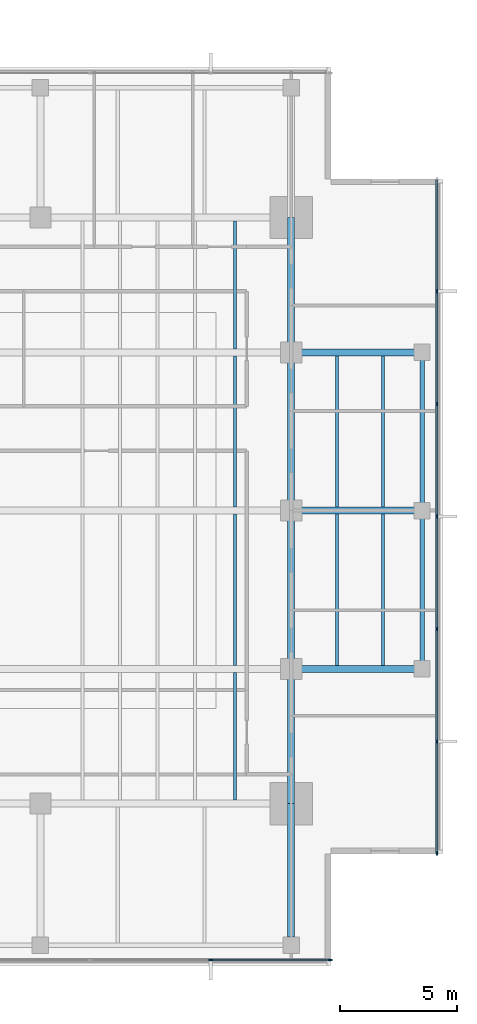
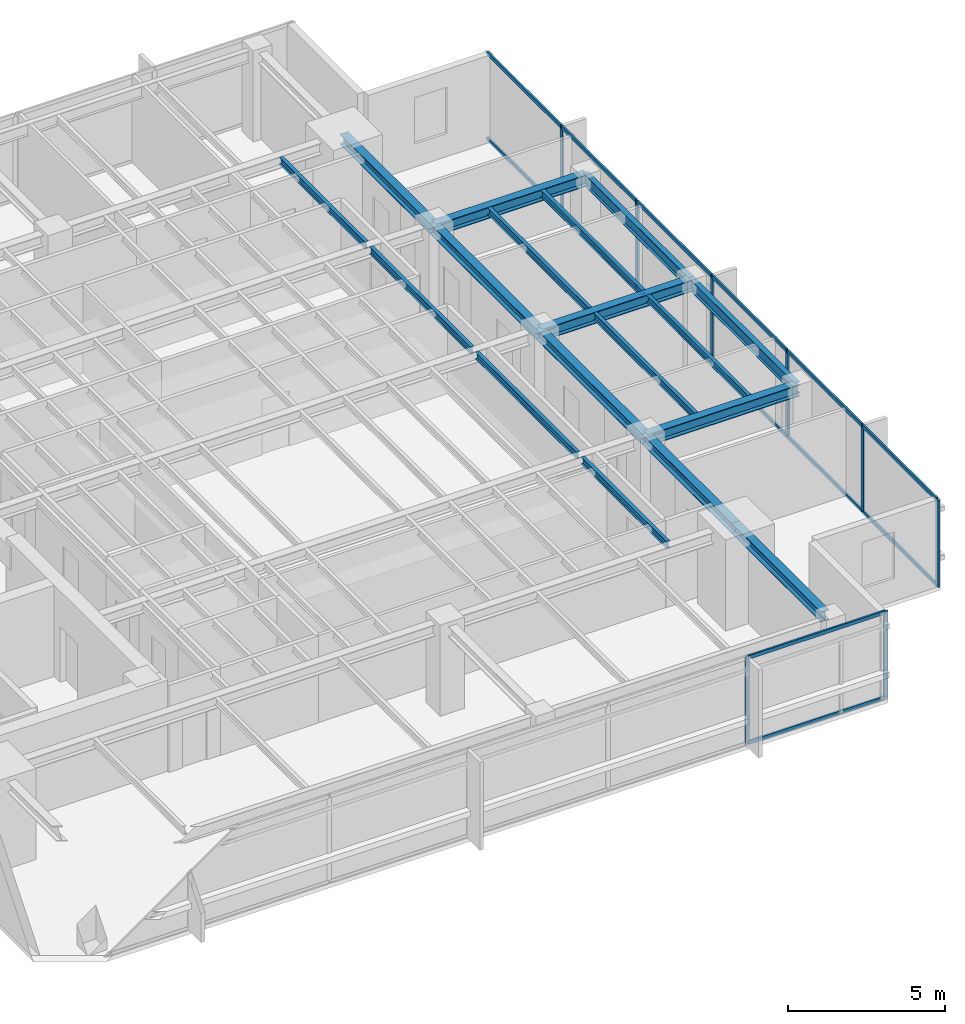
# One storey, part 4 of 13: 22 members, 18 beams, 2 elements without a shape of their own.
"""IFC4 building model written with IfcOpenShell, lengths in metres."""

from ifc_helpers import new_model, si_unit, direction, frame, origin, origin_2d, place, context, subcontext, project, spatial, rectangle, i_section, extrude, material, layer, layer_set, material_profile, profile_set, type_object, element, aggregate, save


model = new_model("IFC4")

# Units and contexts
model_context = context("Model", 3, precision=1e-05, world=origin(), true_north=direction((0.0, 1.0)))
body_context = subcontext(model_context, "Body", "Model", "MODEL_VIEW")
ifc_project = project(units=[si_unit("LENGTHUNIT", "METRE"), si_unit("AREAUNIT", "SQUARE_METRE"), si_unit("VOLUMEUNIT", "CUBIC_METRE"), si_unit("PLANEANGLEUNIT", "RADIAN"), si_unit("MASSUNIT", "GRAM", prefix="KILO")], contexts=[model_context])

# Site, building, storey
site_placement = place(None, origin())
site = spatial("IfcSite", under=ifc_project, at=site_placement, CompositionType="ELEMENT")
building_placement = place(site_placement, origin())
building = spatial("IfcBuilding", under=site, at=building_placement, Name="Kinhvarn Gate Tower", CompositionType="ELEMENT")
storey_placement = place(building_placement, frame((0.0, 0.0, 288.300048828125)))
storey = spatial("IfcBuildingStorey", under=building, at=storey_placement, Name="L77", CompositionType="ELEMENT", Elevation=288.300048828125)

# Curtain wall, members
ifc_material_1 = material(Name="Anodised aluminium AW-6063", Category="aluminium")
ifc_layer = layer(ifc_material_1, 0.179931640625)
ifc_layer_set = layer_set([ifc_layer], Name="Anodised aluminium AW-6063")
curtain_wall_type = type_object("IfcCurtainWallType", Name="CW-SYS-3", PredefinedType="NOTDEFINED", material=ifc_layer_set)
curtain_wall_1_placement = place(storey_placement, origin())
curtain_wall_1 = element("IfcCurtainWall", 1, at=curtain_wall_1_placement, inside=storey, type_object=curtain_wall_type, Name="Curtain Wall CW3 (L77)", PredefinedType="NOTDEFINED")
ifc_material_profile_1 = material_profile(ifc_material_1, rectangle(XDim=0.06494140625, YDim=0.159912109375, at=origin_2d()), Name="ALU 65x160")
ifc_profile_set_1 = profile_set([ifc_material_profile_1], Name="Anodised aluminium AW-6063")
member_type_1 = type_object("IfcMemberType", Name="CW-MUL-160", PredefinedType="MULLION", material=ifc_profile_set_1)
member_1_placement = place(storey_placement, frame((34.7666015625, 6.090087890625, 0.0), z_axis=(0.0, 0.0, 1.0), x_axis=(0.0, 1.0, 0.0)))
member_1 = element("IfcMember", 2, at=member_1_placement, type_object=member_type_1, Name="CW3 mullion 6", PredefinedType="MULLION", context=body_context, shape_type="SweptSolid", body=[
    extrude(rectangle(XDim=0.06494140625, YDim=0.159912109375, at=origin_2d()), origin(), (0.0, 0.0, 1.0), 3.389892578125),
])
member_2_placement = place(storey_placement, frame((39.867431640625, 6.090087890625, 0.0), z_axis=(0.0, 0.0, 1.0), x_axis=(0.0, 1.0, 0.0)))
member_2 = element("IfcMember", 3, at=member_2_placement, type_object=member_type_1, Name="CW3 mullion 7", PredefinedType="MULLION", context=body_context, shape_type="SweptSolid", body=[
    extrude(rectangle(XDim=0.06494140625, YDim=0.159912109375, at=origin_2d()), origin(), (0.0, 0.0, 1.0), 3.389892578125),
])

curtain_wall_2_placement = place(storey_placement, origin())
curtain_wall_2 = element("IfcCurtainWall", 4, at=curtain_wall_2_placement, inside=storey, type_object=curtain_wall_type, Name="Curtain Wall CW3 (L77)", PredefinedType="NOTDEFINED")
member_3_placement = place(storey_placement, frame((44.409912109375, 10.632568359375, 0.0), z_axis=(0.0, 0.0, 1.0), x_axis=(-1.0, 0.0, 0.0)))
member_3 = element("IfcMember", 5, at=member_3_placement, type_object=member_type_1, Name="CW3 mullion 1", PredefinedType="MULLION", context=body_context, shape_type="SweptSolid", body=[
    extrude(rectangle(XDim=0.06494140625, YDim=0.159912109375, at=origin_2d()), origin(), (0.0, 0.0, 1.0), 3.389892578125),
])
member_4_placement = place(storey_placement, frame((44.409912109375, 15.39990234375, 0.0), z_axis=(0.0, 0.0, 1.0), x_axis=(-1.0, 0.0, 0.0)))
member_4 = element("IfcMember", 6, at=member_4_placement, type_object=member_type_1, Name="CW3 mullion 2", PredefinedType="MULLION", context=body_context, shape_type="SweptSolid", body=[
    extrude(rectangle(XDim=0.06494140625, YDim=0.159912109375, at=origin_2d()), origin(), (0.0, 0.0, 1.0), 3.389892578125),
])
member_5_placement = place(storey_placement, frame((44.409912109375, 20.199951171875, 0.0), z_axis=(0.0, 0.0, 1.0), x_axis=(-1.0, 0.0, 0.0)))
member_5 = element("IfcMember", 7, at=member_5_placement, type_object=member_type_1, Name="CW3 mullion 3", PredefinedType="MULLION", context=body_context, shape_type="SweptSolid", body=[
    extrude(rectangle(XDim=0.06494140625, YDim=0.159912109375, at=origin_2d()), origin(), (0.0, 0.0, 1.0), 3.389892578125),
])
member_6_placement = place(storey_placement, frame((44.409912109375, 25.0, 0.0), z_axis=(0.0, 0.0, 1.0), x_axis=(-1.0, 0.0, 0.0)))
member_6 = element("IfcMember", 8, at=member_6_placement, type_object=member_type_1, Name="CW3 mullion 4", PredefinedType="MULLION", context=body_context, shape_type="SweptSolid", body=[
    extrude(rectangle(XDim=0.06494140625, YDim=0.159912109375, at=origin_2d()), origin(), (0.0, 0.0, 1.0), 3.389892578125),
])
member_7_placement = place(storey_placement, frame((44.409912109375, 29.800048828125, 0.0), z_axis=(0.0, 0.0, 1.0), x_axis=(-1.0, 0.0, 0.0)))
member_7 = element("IfcMember", 9, at=member_7_placement, type_object=member_type_1, Name="CW3 mullion 5", PredefinedType="MULLION", context=body_context, shape_type="SweptSolid", body=[
    extrude(rectangle(XDim=0.06494140625, YDim=0.159912109375, at=origin_2d()), origin(), (0.0, 0.0, 1.0), 3.389892578125),
])
member_8_placement = place(storey_placement, frame((44.409912109375, 34.60009765625, 0.0), z_axis=(0.0, 0.0, 1.0), x_axis=(-1.0, 0.0, 0.0)))
member_8 = element("IfcMember", 10, at=member_8_placement, type_object=member_type_1, Name="CW3 mullion 6", PredefinedType="MULLION", context=body_context, shape_type="SweptSolid", body=[
    extrude(rectangle(XDim=0.06494140625, YDim=0.159912109375, at=origin_2d()), origin(), (0.0, 0.0, 1.0), 3.389892578125),
])

# Member
ifc_material_profile_2 = material_profile(ifc_material_1, rectangle(XDim=0.070068359375, YDim=0.139892578125, at=origin_2d()), Name="ALU 70x140")
ifc_profile_set_2 = profile_set([ifc_material_profile_2], Name="Anodised aluminium AW-6063")
member_type_2 = type_object("IfcMemberType", Name="CW-TRN-140", PredefinedType="USERDEFINED", material=ifc_profile_set_2)
member_9_placement = place(storey_placement, frame((34.799072265625, 6.090087890625, 0.034912109375), z_axis=(1.0, 0.0, 0.0), x_axis=(0.0, 1.0, 0.0)))
member_9 = element("IfcMember", 11, at=member_9_placement, type_object=member_type_2, Name="CW3 transom 6.1", ObjectType="TRANSOM", PredefinedType="USERDEFINED", context=body_context, shape_type="SweptSolid", body=[
    extrude(rectangle(XDim=0.070068359375, YDim=0.139892578125, at=origin_2d()), origin(), (0.0, 0.0, 1.0), 5.035888671875),
])

member_10_placement = place(storey_placement, frame((34.799072265625, 6.090087890625, 3.35498046875), z_axis=(1.0, 0.0, 0.0), x_axis=(0.0, 1.0, 0.0)))
member_10 = element("IfcMember", 12, at=member_10_placement, type_object=member_type_2, Name="CW3 transom 6.2", ObjectType="TRANSOM", PredefinedType="USERDEFINED", context=body_context, shape_type="SweptSolid", body=[
    extrude(rectangle(XDim=0.070068359375, YDim=0.139892578125, at=origin_2d()), origin(), (0.0, 0.0, 1.0), 5.035888671875),
])

aggregate(curtain_wall_1, [member_1, member_2, member_9, member_10])

member_11_placement = place(storey_placement, frame((44.409912109375, 10.6650390625, 0.034912109375), z_axis=(0.0, 1.0, 0.0), x_axis=(-1.0, 0.0, 0.0)))
member_11 = element("IfcMember", 13, at=member_11_placement, type_object=member_type_2, Name="CW3 transom 1.1", ObjectType="TRANSOM", PredefinedType="USERDEFINED", context=body_context, shape_type="SweptSolid", body=[
    extrude(rectangle(XDim=0.070068359375, YDim=0.139892578125, at=origin_2d()), origin(), (0.0, 0.0, 1.0), 4.702392578125),
])

member_12_placement = place(storey_placement, frame((44.409912109375, 10.6650390625, 3.35498046875), z_axis=(0.0, 1.0, 0.0), x_axis=(-1.0, 0.0, 0.0)))
member_12 = element("IfcMember", 14, at=member_12_placement, type_object=member_type_2, Name="CW3 transom 1.2", ObjectType="TRANSOM", PredefinedType="USERDEFINED", context=body_context, shape_type="SweptSolid", body=[
    extrude(rectangle(XDim=0.070068359375, YDim=0.139892578125, at=origin_2d()), origin(), (0.0, 0.0, 1.0), 4.702392578125),
])

member_13_placement = place(storey_placement, frame((44.409912109375, 15.4326171875, 0.034912109375), z_axis=(0.0, 1.0, 0.0), x_axis=(-1.0, 0.0, 0.0)))
member_13 = element("IfcMember", 15, at=member_13_placement, type_object=member_type_2, Name="CW3 transom 2.1", ObjectType="TRANSOM", PredefinedType="USERDEFINED", context=body_context, shape_type="SweptSolid", body=[
    extrude(rectangle(XDim=0.070068359375, YDim=0.139892578125, at=origin_2d()), origin(), (0.0, 0.0, 1.0), 4.73486328125),
])

member_14_placement = place(storey_placement, frame((44.409912109375, 15.4326171875, 3.35498046875), z_axis=(0.0, 1.0, 0.0), x_axis=(-1.0, 0.0, 0.0)))
member_14 = element("IfcMember", 16, at=member_14_placement, type_object=member_type_2, Name="CW3 transom 2.2", ObjectType="TRANSOM", PredefinedType="USERDEFINED", context=body_context, shape_type="SweptSolid", body=[
    extrude(rectangle(XDim=0.070068359375, YDim=0.139892578125, at=origin_2d()), origin(), (0.0, 0.0, 1.0), 4.73486328125),
])

member_15_placement = place(storey_placement, frame((44.409912109375, 20.232421875, 0.034912109375), z_axis=(0.0, 1.0, 0.0), x_axis=(-1.0, 0.0, 0.0)))
member_15 = element("IfcMember", 17, at=member_15_placement, type_object=member_type_2, Name="CW3 transom 3.1", ObjectType="TRANSOM", PredefinedType="USERDEFINED", context=body_context, shape_type="SweptSolid", body=[
    extrude(rectangle(XDim=0.070068359375, YDim=0.139892578125, at=origin_2d()), origin(), (0.0, 0.0, 1.0), 4.735107421875),
])

member_16_placement = place(storey_placement, frame((44.409912109375, 20.232421875, 3.35498046875), z_axis=(0.0, 1.0, 0.0), x_axis=(-1.0, 0.0, 0.0)))
member_16 = element("IfcMember", 18, at=member_16_placement, type_object=member_type_2, Name="CW3 transom 3.2", ObjectType="TRANSOM", PredefinedType="USERDEFINED", context=body_context, shape_type="SweptSolid", body=[
    extrude(rectangle(XDim=0.070068359375, YDim=0.139892578125, at=origin_2d()), origin(), (0.0, 0.0, 1.0), 4.735107421875),
])

member_17_placement = place(storey_placement, frame((44.409912109375, 25.032470703125, 0.034912109375), z_axis=(0.0, 1.0, 0.0), x_axis=(-1.0, 0.0, 0.0)))
member_17 = element("IfcMember", 19, at=member_17_placement, type_object=member_type_2, Name="CW3 transom 4.1", ObjectType="TRANSOM", PredefinedType="USERDEFINED", context=body_context, shape_type="SweptSolid", body=[
    extrude(rectangle(XDim=0.070068359375, YDim=0.139892578125, at=origin_2d()), origin(), (0.0, 0.0, 1.0), 4.735107421875),
])

member_18_placement = place(storey_placement, frame((44.409912109375, 25.032470703125, 3.35498046875), z_axis=(0.0, 1.0, 0.0), x_axis=(-1.0, 0.0, 0.0)))
member_18 = element("IfcMember", 20, at=member_18_placement, type_object=member_type_2, Name="CW3 transom 4.2", ObjectType="TRANSOM", PredefinedType="USERDEFINED", context=body_context, shape_type="SweptSolid", body=[
    extrude(rectangle(XDim=0.070068359375, YDim=0.139892578125, at=origin_2d()), origin(), (0.0, 0.0, 1.0), 4.735107421875),
])

member_19_placement = place(storey_placement, frame((44.409912109375, 29.83251953125, 0.034912109375), z_axis=(0.0, 1.0, 0.0), x_axis=(-1.0, 0.0, 0.0)))
member_19 = element("IfcMember", 21, at=member_19_placement, type_object=member_type_2, Name="CW3 transom 5.1", ObjectType="TRANSOM", PredefinedType="USERDEFINED", context=body_context, shape_type="SweptSolid", body=[
    extrude(rectangle(XDim=0.070068359375, YDim=0.139892578125, at=origin_2d()), origin(), (0.0, 0.0, 1.0), 4.73486328125),
])

member_20_placement = place(storey_placement, frame((44.409912109375, 29.83251953125, 3.35498046875), z_axis=(0.0, 1.0, 0.0), x_axis=(-1.0, 0.0, 0.0)))
member_20 = element("IfcMember", 22, at=member_20_placement, type_object=member_type_2, Name="CW3 transom 5.2", ObjectType="TRANSOM", PredefinedType="USERDEFINED", context=body_context, shape_type="SweptSolid", body=[
    extrude(rectangle(XDim=0.070068359375, YDim=0.139892578125, at=origin_2d()), origin(), (0.0, 0.0, 1.0), 4.73486328125),
])

member_21_placement = place(storey_placement, frame((44.409912109375, 34.632568359375, 0.034912109375), z_axis=(0.0, 1.0, 0.0), x_axis=(-1.0, 0.0, 0.0)))
member_21 = element("IfcMember", 23, at=member_21_placement, type_object=member_type_2, Name="CW3 transom 6.1", ObjectType="TRANSOM", PredefinedType="USERDEFINED", context=body_context, shape_type="SweptSolid", body=[
    extrude(rectangle(XDim=0.070068359375, YDim=0.139892578125, at=origin_2d()), origin(), (0.0, 0.0, 1.0), 4.702392578125),
])

member_22_placement = place(storey_placement, frame((44.409912109375, 34.632568359375, 3.35498046875), z_axis=(0.0, 1.0, 0.0), x_axis=(-1.0, 0.0, 0.0)))
member_22 = element("IfcMember", 24, at=member_22_placement, type_object=member_type_2, Name="CW3 transom 6.2", ObjectType="TRANSOM", PredefinedType="USERDEFINED", context=body_context, shape_type="SweptSolid", body=[
    extrude(rectangle(XDim=0.070068359375, YDim=0.139892578125, at=origin_2d()), origin(), (0.0, 0.0, 1.0), 4.702392578125),
])

aggregate(curtain_wall_2, [member_3, member_4, member_5, member_6, member_7, member_8, member_11, member_12, member_13, member_14, member_15, member_16, member_17, member_18, member_19, member_20, member_21, member_22])

# Beams
ifc_material_2 = material(Name="Steel S355", Category="steel")
ifc_material_profile_3 = material_profile(ifc_material_2, i_section(OverallWidth=0.300048828125, OverallDepth=0.39990234375, WebThickness=0.013427734375, FlangeThickness=0.02392578125, at=origin_2d()), Name="HEB 400")
ifc_profile_set_3 = profile_set([ifc_material_profile_3], Name="Steel S355")
beam_type_1 = type_object("IfcBeamType", Name="STL-HEB400", PredefinedType="BEAM", material=ifc_profile_set_3)
beam_1_placement = place(storey_placement, frame((38.199951171875, 7.054931640625, 3.18994140625), z_axis=(0.0, 1.0, 0.0), x_axis=(-1.0, 0.0, 0.0)))
element("IfcBeam", 25, at=beam_1_placement, inside=storey, type_object=beam_type_1, Name="Floor Beam PG-12 (L77 MCE-S)", PredefinedType="BEAM", context=body_context, shape_type="SweptSolid", body=[
    extrude(i_section(OverallWidth=0.300048828125, OverallDepth=0.39990234375, WebThickness=0.013427734375, FlangeThickness=0.02392578125, at=origin_2d()), origin(), (0.0, 0.0, 1.0), 5.695068359375),
])
beam_2_placement = place(storey_placement, frame((38.199951171875, 12.75, 3.18994140625), z_axis=(0.0, 1.0, 0.0), x_axis=(-1.0, 0.0, 0.0)))
element("IfcBeam", 26, at=beam_2_placement, inside=storey, type_object=beam_type_1, Name="Floor Beam PG-12 (L77 MG-E-12)", PredefinedType="BEAM", context=body_context, shape_type="SweptSolid", body=[
    extrude(i_section(OverallWidth=0.300048828125, OverallDepth=0.39990234375, WebThickness=0.013427734375, FlangeThickness=0.02392578125, at=origin_2d()), origin(), (0.0, 0.0, 1.0), 5.75),
])
for number, where, z_axis, x_axis, name in (
    (27, (38.199951171875, 18.5, 3.18994140625), (0.0, 1.0, 0.0), (-1.0, 0.0, 0.0), "Floor Beam PG-12 (L77 MG-E-18)"),
    (28, (38.199951171875, 25.25, 3.18994140625), (0.0, 1.0, 0.0), (-1.0, 0.0, 0.0), "Floor Beam PG-12 (L77 MG-E-25)"),
):
    element("IfcBeam", number, at=place(storey_placement, frame(where, z_axis=z_axis, x_axis=x_axis)), inside=storey, type_object=beam_type_1, Name=name, PredefinedType="BEAM", context=body_context, shape_type="SweptSolid", body=[
        extrude(i_section(OverallWidth=0.300048828125, OverallDepth=0.39990234375, WebThickness=0.013427734375, FlangeThickness=0.02392578125, at=origin_2d()), origin(), (0.0, 0.0, 1.0), 6.75),
    ])
beam_3_placement = place(storey_placement, frame((38.199951171875, 32.0, 3.18994140625), z_axis=(0.0, 1.0, 0.0), x_axis=(-1.0, 0.0, 0.0)))
element("IfcBeam", 29, at=beam_3_placement, inside=storey, type_object=beam_type_1, Name="Floor Beam PG-12 (L77 MG-E-32)", PredefinedType="BEAM", context=body_context, shape_type="SweptSolid", body=[
    extrude(i_section(OverallWidth=0.300048828125, OverallDepth=0.39990234375, WebThickness=0.013427734375, FlangeThickness=0.02392578125, at=origin_2d()), origin(), (0.0, 0.0, 1.0), 5.75),
])
ifc_material_profile_4 = material_profile(ifc_material_2, i_section(OverallWidth=0.300048828125, OverallDepth=0.449951171875, WebThickness=0.013916015625, FlangeThickness=0.02587890625, at=origin_2d()), Name="HEB 450")
ifc_profile_set_4 = profile_set([ifc_material_profile_4], Name="Steel S355")
beam_type_2 = type_object("IfcBeamType", Name="STL-HEB450", PredefinedType="BEAM", material=ifc_profile_set_4)
for number, where, z_axis, x_axis, name in (
    (30, (38.199951171875, 18.5, 3.1650390625), (1.0, 0.0, 0.0), (0.0, 1.0, 0.0), "Floor Beam PG-13 (L77 EW2-Y18)"),
    (31, (38.199951171875, 25.25, 3.1650390625), (1.0, 0.0, 0.0), (0.0, 1.0, 0.0), "Floor Beam PG-13 (L77 EW2-Y25)"),
    (32, (38.199951171875, 32.0, 3.1650390625), (1.0, 0.0, 0.0), (0.0, 1.0, 0.0), "Floor Beam PG-13 (L77 EW2-Y32)"),
):
    element("IfcBeam", number, at=place(storey_placement, frame(where, z_axis=z_axis, x_axis=x_axis)), inside=storey, type_object=beam_type_2, Name=name, PredefinedType="BEAM", context=body_context, shape_type="SweptSolid", body=[
        extrude(i_section(OverallWidth=0.300048828125, OverallDepth=0.449951171875, WebThickness=0.013916015625, FlangeThickness=0.02587890625, at=origin_2d()), origin(), (0.0, 0.0, 1.0), 5.580078125),
    ])
ifc_material_profile_5 = material_profile(ifc_material_2, i_section(OverallWidth=0.135009765625, OverallDepth=0.27001953125, WebThickness=0.006591796875, FlangeThickness=0.01025390625, at=origin_2d()), Name="IPE 270")
ifc_profile_set_5 = profile_set([ifc_material_profile_5], Name="Steel S355")
beam_type_3 = type_object("IfcBeamType", Name="STL-IPE270", PredefinedType="JOIST", material=ifc_profile_set_5)
beam_4_placement = place(storey_placement, frame((35.800048828125, 12.89990234375, 3.2548828125), z_axis=(0.0, 1.0, 0.0), x_axis=(-1.0, 0.0, 0.0)))
element("IfcBeam", 33, at=beam_4_placement, inside=storey, type_object=beam_type_3, Name="Floor Joist SB-01 (L77 JC-X358-0)", PredefinedType="JOIST", context=body_context, shape_type="SweptSolid", body=[
    extrude(i_section(OverallWidth=0.135009765625, OverallDepth=0.27001953125, WebThickness=0.006591796875, FlangeThickness=0.01025390625, at=origin_2d()), origin(), (0.0, 0.0, 1.0), 5.4501953125),
])
for number, where, z_axis, x_axis, name in (
    (34, (35.800048828125, 18.64990234375, 3.2548828125), (0.0, 1.0, 0.0), (-1.0, 0.0, 0.0), "Floor Joist SB-01 (L77 JC-X358-1)"),
    (35, (35.800048828125, 25.39990234375, 3.2548828125), (0.0, 1.0, 0.0), (-1.0, 0.0, 0.0), "Floor Joist SB-01 (L77 JC-X358-2)"),
):
    element("IfcBeam", number, at=place(storey_placement, frame(where, z_axis=z_axis, x_axis=x_axis)), inside=storey, type_object=beam_type_3, Name=name, PredefinedType="JOIST", context=body_context, shape_type="SweptSolid", body=[
        extrude(i_section(OverallWidth=0.135009765625, OverallDepth=0.27001953125, WebThickness=0.006591796875, FlangeThickness=0.01025390625, at=origin_2d()), origin(), (0.0, 0.0, 1.0), 6.4501953125),
    ])
beam_5_placement = place(storey_placement, frame((35.800048828125, 32.14990234375, 3.2548828125), z_axis=(0.0, 1.0, 0.0), x_axis=(-1.0, 0.0, 0.0)))
element("IfcBeam", 36, at=beam_5_placement, inside=storey, type_object=beam_type_3, Name="Floor Joist SB-01 (L77 JC-X358-3)", PredefinedType="JOIST", context=body_context, shape_type="SweptSolid", body=[
    extrude(i_section(OverallWidth=0.135009765625, OverallDepth=0.27001953125, WebThickness=0.006591796875, FlangeThickness=0.01025390625, at=origin_2d()), origin(), (0.0, 0.0, 1.0), 5.4501953125),
])
for number, where, z_axis, x_axis, name in (
    (37, (40.14990234375, 18.64990234375, 3.2548828125), (0.0, 1.0, 0.0), (-1.0, 0.0, 0.0), "Floor Joist SB-01 (L77 JC-X401-1)"),
    (38, (40.14990234375, 25.39990234375, 3.2548828125), (0.0, 1.0, 0.0), (-1.0, 0.0, 0.0), "Floor Joist SB-01 (L77 JC-X401-2)"),
    (39, (42.110107421875, 18.64990234375, 3.2548828125), (0.0, 1.0, 0.0), (-1.0, 0.0, 0.0), "Floor Joist SB-01 (L77 JC-X421-1)"),
    (40, (42.110107421875, 25.39990234375, 3.2548828125), (0.0, 1.0, 0.0), (-1.0, 0.0, 0.0), "Floor Joist SB-01 (L77 JC-X421-2)"),
):
    element("IfcBeam", number, at=place(storey_placement, frame(where, z_axis=z_axis, x_axis=x_axis)), inside=storey, type_object=beam_type_3, Name=name, PredefinedType="JOIST", context=body_context, shape_type="SweptSolid", body=[
        extrude(i_section(OverallWidth=0.135009765625, OverallDepth=0.27001953125, WebThickness=0.006591796875, FlangeThickness=0.01025390625, at=origin_2d()), origin(), (0.0, 0.0, 1.0), 6.4501953125),
    ])
ifc_material_profile_6 = material_profile(ifc_material_2, i_section(OverallWidth=0.18994140625, OverallDepth=0.449951171875, WebThickness=0.009521484375, FlangeThickness=0.0146484375, at=origin_2d()), Name="IPE 450")
ifc_profile_set_6 = profile_set([ifc_material_profile_6], Name="Steel S355")
beam_type_4 = type_object("IfcBeamType", Name="STL-IPE450", PredefinedType="JOIST", material=ifc_profile_set_6)
for number, where, z_axis, x_axis, name in (
    (41, (43.780029296875, 18.5, 3.1650390625), (0.0, 1.0, 0.0), (-1.0, 0.0, 0.0), "Floor Joist SB-06 (L77 SP-E2)"),
    (42, (43.780029296875, 25.25, 3.1650390625), (0.0, 1.0, 0.0), (-1.0, 0.0, 0.0), "Floor Joist SB-06 (L77 SP-E3)"),
):
    element("IfcBeam", number, at=place(storey_placement, frame(where, z_axis=z_axis, x_axis=x_axis)), inside=storey, type_object=beam_type_4, Name=name, PredefinedType="JOIST", context=body_context, shape_type="SweptSolid", body=[
        extrude(i_section(OverallWidth=0.18994140625, OverallDepth=0.449951171875, WebThickness=0.009521484375, FlangeThickness=0.0146484375, at=origin_2d()), origin(), (0.0, 0.0, 1.0), 6.75),
    ])

save(model, "model.ifc")
